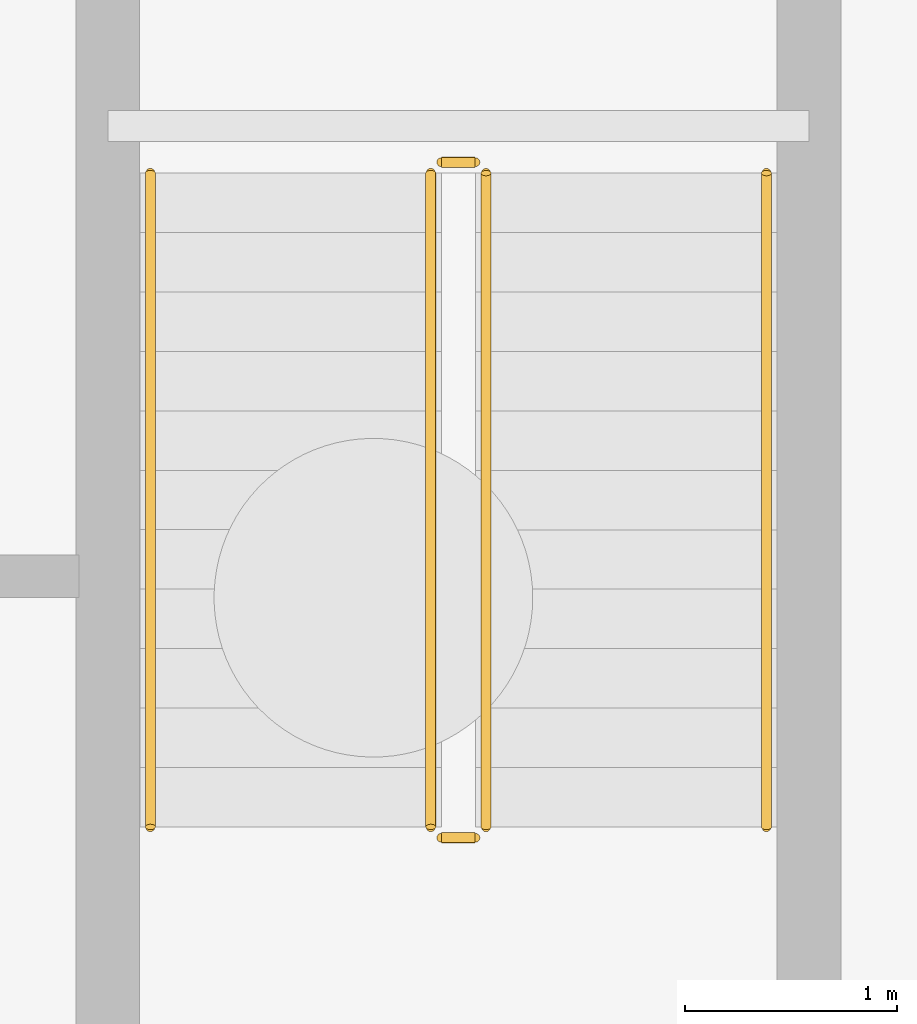
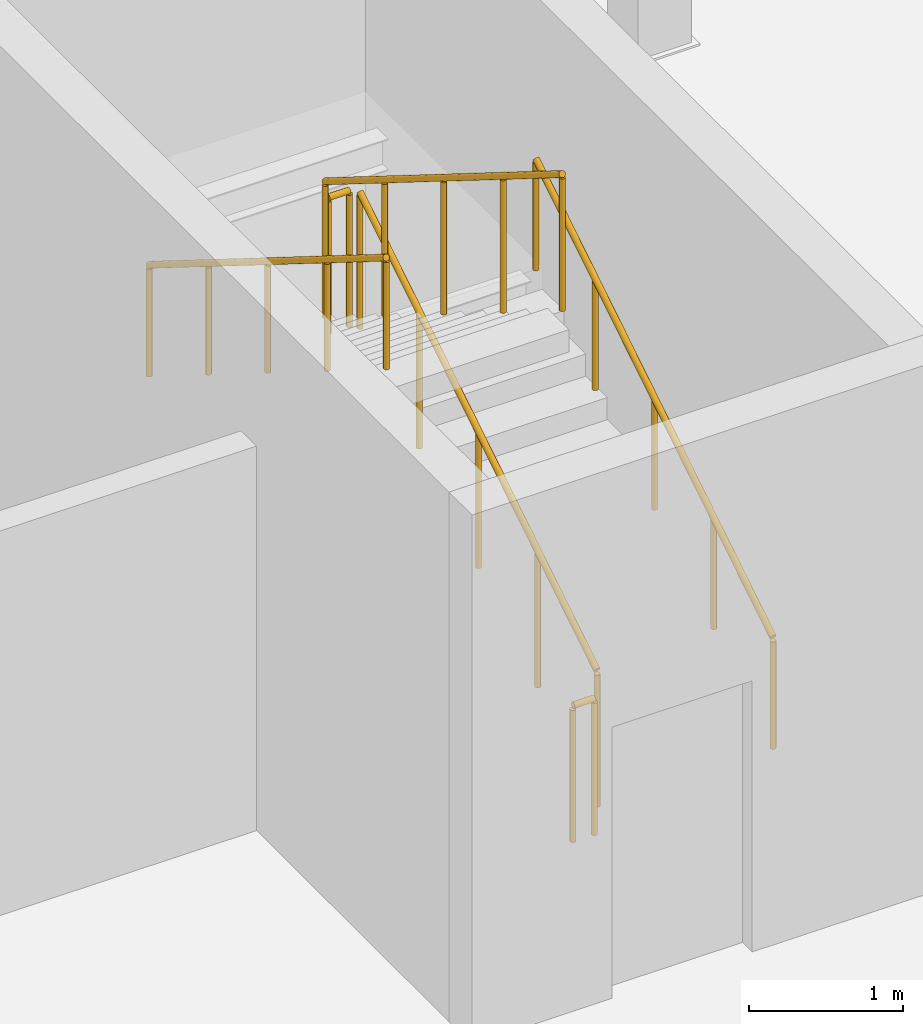
# One storey, part 11 of 12: 6 railings.
"""IFC4 building model written with IfcOpenShell, lengths in metres."""

import ifcopenshell
import ifcopenshell.guid

model = None  # the IFC model being written
_history = None  # IfcOwnerHistory: only IFC2X3 demands one
_inside = {}  # id of a spatial element -> (the spatial element, [elements in it])
_under = {}  # id of a project, library or spatial element -> (it, [spatial elements below it])
_declared = {}  # id of a project -> (the project, [libraries it declares])
_typed = {}  # id of a type object -> (the type object, [elements of that type])
_made_of = {}  # id of a material, layer set ... -> (it, [elements and type objects made of it])


def new_model(schema):
    """Start an empty IFC model of exactly this schema.

    Asked for "IFC4X3", IfcOpenShell would pick the latest addendum, in which some entities
    have other attributes; the version numbers below select the first issue.
    IFC2X3 requires an IfcOwnerHistory on every rooted entity: one is made here for all.
    """
    global model, _history
    if schema == "IFC4X3":
        model = ifcopenshell.file(schema_version=(4, 3, 0, 0))
    else:
        model = ifcopenshell.file(schema=schema)
    _inside.clear()
    _under.clear()
    _declared.clear()
    _typed.clear()
    _made_of.clear()
    _history = None
    if model.schema == "IFC2X3":
        org = make("IfcOrganization", Name="unknown")
        user = make(
            "IfcPersonAndOrganization",
            ThePerson=make("IfcPerson", FamilyName="unknown"),
            TheOrganization=org,
        )
        app = make(
            "IfcApplication",
            ApplicationDeveloper=org,
            Version="unknown",
            ApplicationFullName="unknown",
            ApplicationIdentifier="unknown",
        )
        _history = make(
            "IfcOwnerHistory",
            OwningUser=user,
            OwningApplication=app,
            ChangeAction="ADDED",
            CreationDate=0,
        )
    return model


def make(cls, **values):
    """One entity of the class cls with the attributes given. An attribute that is None is left unset."""
    return model.create_entity(
        cls, **{name: value for name, value in values.items() if value is not None}
    )


def rooted(cls, **values):
    """An entity with a GlobalId (a new one), such as an element, a storey or a relation."""
    return make(cls, GlobalId=ifcopenshell.guid.new(), OwnerHistory=_history, **values)


def si_unit(unit_type, name, prefix=None):
    """IfcSIUnit, for example si_unit("LENGTHUNIT", "METRE", prefix="MILLI")."""
    return make("IfcSIUnit", UnitType=unit_type, Prefix=prefix, Name=name)


def assignment(units):
    """IfcUnitAssignment: the units of a project."""
    return None if units is None else make("IfcUnitAssignment", Units=units)


def point(xyz):
    """IfcCartesianPoint."""
    return None if xyz is None else make("IfcCartesianPoint", Coordinates=xyz)


def direction(xyz):
    """IfcDirection."""
    return None if xyz is None else make("IfcDirection", DirectionRatios=xyz)


def frame(location, z_axis=None, x_axis=None):
    """IfcAxis2Placement3D, a coordinate frame: its origin and axes. An axis left out is left unset."""
    return make(
        "IfcAxis2Placement3D",
        Location=point(location),
        Axis=direction(z_axis),
        RefDirection=direction(x_axis),
    )


def frame_2d(location, x_axis=None):
    """IfcAxis2Placement2D, a coordinate frame in the plane: its origin and x axis."""
    return make(
        "IfcAxis2Placement2D", Location=point(location), RefDirection=direction(x_axis)
    )


def origin():
    """The frame at (0, 0, 0) with its axes left unset."""
    return frame((0.0, 0.0, 0.0))


def origin_2d():
    """The frame at (0, 0) in the plane with its x axis left unset."""
    return frame_2d((0.0, 0.0))


def place(relative_to, where):
    """IfcLocalPlacement: puts the frame where relative to a parent placement (None: the world)."""
    return make(
        "IfcLocalPlacement", PlacementRelTo=relative_to, RelativePlacement=where
    )


def context(
    kind, dimensions, precision=None, world=None, true_north=None, identifier=None
):
    """IfcGeometricRepresentationContext, for example the 3D "Model" context."""
    return make(
        "IfcGeometricRepresentationContext",
        ContextIdentifier=identifier,
        ContextType=kind,
        CoordinateSpaceDimension=dimensions,
        Precision=precision,
        WorldCoordinateSystem=world,
        TrueNorth=true_north,
    )


def subcontext(parent, identifier, kind, view, scale=None):
    """IfcGeometricRepresentationSubContext, for example "Body" below "Model"."""
    return make(
        "IfcGeometricRepresentationSubContext",
        ContextIdentifier=identifier,
        ContextType=kind,
        ParentContext=parent,
        TargetScale=scale,
        TargetView=view,
    )


def project(units=None, contexts=None):
    """IfcProject with its units and contexts."""
    return rooted(
        "IfcProject",
        Name="project",
        RepresentationContexts=contexts,
        UnitsInContext=assignment(units),
    )


def spatial(cls, under=None, at=None, **own):
    """A site, building, storey or space (cls), placed at a placement, below another one or the project."""
    s = rooted(cls, ObjectPlacement=at, **own)
    if under is not None:
        _under.setdefault(under.id(), (under, []))[1].append(s)
    return s


def profile(cls, at=None, kind="AREA", **sizes):
    """A parametric profile (cls). Its sizes go by their IFC names, for example OverallWidth=200.0."""
    return make(cls, ProfileType=kind, Position=at, **sizes)


def circle(**sizes):
    """IfcCircleProfileDef."""
    return profile("IfcCircleProfileDef", **sizes)


def extrude(swept, where, along, depth):
    """IfcExtrudedAreaSolid: the profile swept, set in the frame where, extruded along a direction by depth."""
    return make(
        "IfcExtrudedAreaSolid",
        SweptArea=swept,
        Position=where,
        ExtrudedDirection=direction(along),
        Depth=depth,
    )


def shape(context_of_items, identifier, shape_type, items):
    """IfcShapeRepresentation: the items that make up one representation, for example the "Body"."""
    return make(
        "IfcShapeRepresentation",
        ContextOfItems=context_of_items,
        RepresentationIdentifier=identifier,
        RepresentationType=shape_type,
        Items=items,
    )


def material(Name=None, Category=None):
    """IfcMaterial."""
    return make("IfcMaterial", Name=Name, Category=Category)


def made_of(thing, what):
    """Note that an element or type object is made of a material, layer set ...; save() writes the relation."""
    if what is not None:
        _made_of.setdefault(what.id(), (what, []))[1].append(thing)
    return thing


def type_object(cls, material=None, **own):
    """A type object (cls), such as IfcWallType, which elements share."""
    return made_of(rooted(cls, **own), material)


def element(
    cls,
    number,
    at=None,
    inside=None,
    cuts=None,
    type_object=None,
    material=None,
    context=None,
    identifier="Body",
    shape_type=None,
    held_by="IfcProductDefinitionShape",
    body=None,
    shapes=None,
    **own,
):
    """One element of the class cls, such as IfcWall. Its Tag is "e" and its number.

    at: its placement. inside: the storey or other place that contains it. cuts: it is an
    opening in that element (IfcRelVoidsElement). A single representation is given by context,
    identifier, shape_type and body (its items); several are given by shapes. held_by: the class
    of the entity that holds the representations. save() writes the other relations.
    """
    e = rooted(cls, Tag="e%d" % number, ObjectPlacement=at, **own)
    if body is not None:
        shapes = [shape(context, identifier, shape_type, body)]
    if shapes is not None:
        e.Representation = make(held_by, Representations=shapes)
    if inside is not None:
        _inside.setdefault(inside.id(), (inside, []))[1].append(e)
    if cuts is not None:
        rooted(
            "IfcRelVoidsElement", RelatingBuildingElement=cuts, RelatedOpeningElement=e
        )
    if type_object is not None:
        _typed.setdefault(type_object.id(), (type_object, []))[1].append(e)
    return made_of(e, material)


def aggregate(whole, parts):
    """IfcRelAggregates: a whole, such as a stair, and the parts it consists of."""
    return rooted("IfcRelAggregates", RelatingObject=whole, RelatedObjects=parts)


def save(model, path):
    """Write the relations noted so far, then the file.

    IfcRelAggregates (storeys below a building ...), IfcRelContainedInSpatialStructure (elements
    in a storey), IfcRelDefinesByType, IfcRelAssociatesMaterial and IfcRelDeclares: one each for
    every whole, place, type object, material and project.
    """
    for whole, parts in _under.values():
        aggregate(whole, parts)
    for where, things in _inside.values():
        rooted(
            "IfcRelContainedInSpatialStructure",
            RelatedElements=things,
            RelatingStructure=where,
        )
    for kind, things in _typed.values():
        rooted("IfcRelDefinesByType", RelatedObjects=things, RelatingType=kind)
    for what, things in _made_of.values():
        rooted("IfcRelAssociatesMaterial", RelatedObjects=things, RelatingMaterial=what)
    for by, libraries in _declared.values():
        rooted("IfcRelDeclares", RelatingContext=by, RelatedDefinitions=libraries)
    model.write(path)


model = new_model("IFC4")

# Units and contexts
model_context = context("Model", 3, precision=1e-05, world=origin(), true_north=direction((0.0, 1.0)))
body_context = subcontext(model_context, "Body", "Model", "MODEL_VIEW")
ifc_project = project(units=[si_unit("LENGTHUNIT", "METRE"), si_unit("AREAUNIT", "SQUARE_METRE"), si_unit("VOLUMEUNIT", "CUBIC_METRE"), si_unit("PLANEANGLEUNIT", "RADIAN"), si_unit("MASSUNIT", "GRAM", prefix="KILO")], contexts=[model_context])

# Site, building, storey
site_placement = place(None, origin())
site = spatial("IfcSite", under=ifc_project, at=site_placement, CompositionType="ELEMENT")
building_placement = place(site_placement, origin())
building = spatial("IfcBuilding", under=site, at=building_placement, Name="Orvanel Arch Residences", CompositionType="ELEMENT")
storey_placement = place(building_placement, frame((0.0, 0.0, -8.39990234375)))
storey = spatial("IfcBuildingStorey", under=building, at=storey_placement, Name="B02", CompositionType="ELEMENT", Elevation=-8.39990234375)

# Railings
ifc_material = material(Name="Structural steel AS/NZS 1163 C350L0 (Grade 350)", Category="steel")
railing_type_1 = type_object("IfcRailingType", Name="RL-STAIR-GUARD", PredefinedType="GUARDRAIL", material=ifc_material)
railing_1_placement = place(storey_placement, frame((53.030029296875, 40.419921875, 0.1748046875)))
element("IfcRailing", 1, at=railing_1_placement, inside=storey, type_object=railing_type_1, Name="B02 ST-4 stair guard 1", PredefinedType="GUARDRAIL", context=body_context, shape_type="SweptSolid", body=[
    extrude(circle(Radius=0.02392578125, at=origin_2d()), frame((0.0, 0.001220703125, 1.076904296875), z_axis=(0.0, 0.847998304005, 0.529998940003), x_axis=(-1.0, 0.0, 0.0)), (0.0, 0.0, 1.0), 3.629150390625),
    extrude(circle(Radius=0.02099609375, at=origin_2d()), origin(), (0.0, 0.0, 1.0), 1.050048828125),
    extrude(circle(Radius=0.02099609375, at=origin_2d()), frame((0.0, 0.77001953125, 0.481201171875)), (0.0, 0.0, 1.0), 1.050048828125),
    extrude(circle(Radius=0.02099609375, at=origin_2d()), frame((0.0, 1.5400390625, 0.96240234375)), (0.0, 0.0, 1.0), 1.050048828125),
    extrude(circle(Radius=0.02099609375, at=origin_2d()), frame((0.0, 2.31005859375, 1.44384765625)), (0.0, 0.0, 1.0), 1.050048828125),
    extrude(circle(Radius=0.02099609375, at=origin_2d()), frame((0.0, 3.080078125, 1.925048828125)), (0.0, 0.0, 1.0), 1.050048828125),
])
railing_2_placement = place(storey_placement, frame((52.97998046875, 43.550048828125, 2.099853515625)))
element("IfcRailing", 2, at=railing_2_placement, inside=storey, type_object=railing_type_1, Name="B02 ST-4 stair guard 2", PredefinedType="GUARDRAIL", context=body_context, shape_type="SweptSolid", body=[
    extrude(circle(Radius=0.02392578125, at=origin_2d()), frame((-0.00146484375, 0.0, 1.076171875), z_axis=(-1.0, 0.0, 0.0), x_axis=(0.0, -1.0, 0.0)), (0.0, 0.0, 1.0), 0.156982421875),
    extrude(circle(Radius=0.02099609375, at=origin_2d()), origin(), (0.0, 0.0, 1.0), 1.050048828125),
    extrude(circle(Radius=0.02099609375, at=origin_2d()), frame((-0.159912109375, 0.0, 0.0)), (0.0, 0.0, 1.0), 1.050048828125),
])
railing_3_placement = place(storey_placement, frame((52.77001953125, 43.5, 2.27490234375)))
element("IfcRailing", 3, at=railing_3_placement, inside=storey, type_object=railing_type_1, Name="B02 ST-4 stair guard 3", PredefinedType="GUARDRAIL", context=body_context, shape_type="SweptSolid", body=[
    extrude(circle(Radius=0.02392578125, at=origin_2d()), frame((0.0, -0.001220703125, 1.076904296875), z_axis=(0.0, -0.847998304005, 0.529998940003), x_axis=(1.0, 0.0, 0.0)), (0.0, 0.0, 1.0), 3.629150390625),
    extrude(circle(Radius=0.02099609375, at=origin_2d()), origin(), (0.0, 0.0, 1.0), 1.050048828125),
    extrude(circle(Radius=0.02099609375, at=origin_2d()), frame((0.0, -0.77001953125, 0.481201171875)), (0.0, 0.0, 1.0), 1.050048828125),
    extrude(circle(Radius=0.02099609375, at=origin_2d()), frame((0.0, -1.5400390625, 0.96240234375)), (0.0, 0.0, 1.0), 1.050048828125),
    extrude(circle(Radius=0.02099609375, at=origin_2d()), frame((0.0, -2.31005859375, 1.44384765625)), (0.0, 0.0, 1.0), 1.050048828125),
    extrude(circle(Radius=0.02099609375, at=origin_2d()), frame((0.0, -3.080078125, 1.925048828125)), (0.0, 0.0, 1.0), 1.050048828125),
])
railing_4_placement = place(storey_placement, frame((52.97998046875, 40.3701171875, 0.0)))
element("IfcRailing", 4, at=railing_4_placement, inside=storey, type_object=railing_type_1, Name="B02 ST-4 stair guard 4", PredefinedType="GUARDRAIL", context=body_context, shape_type="SweptSolid", body=[
    extrude(circle(Radius=0.02392578125, at=origin_2d()), frame((-0.00146484375, 0.0, 1.076171875), z_axis=(-1.0, 0.0, 0.0), x_axis=(0.0, -1.0, 0.0)), (0.0, 0.0, 1.0), 0.156982421875),
    extrude(circle(Radius=0.02099609375, at=origin_2d()), origin(), (0.0, 0.0, 1.0), 1.050048828125),
    extrude(circle(Radius=0.02099609375, at=origin_2d()), frame((-0.159912109375, 0.0, 0.0)), (0.0, 0.0, 1.0), 1.050048828125),
])
railing_type_2 = type_object("IfcRailingType", Name="RL-STAIR-HAND", PredefinedType="HANDRAIL", material=ifc_material)
railing_5_placement = place(storey_placement, frame((54.35009765625, 40.419921875, 0.1748046875)))
element("IfcRailing", 5, at=railing_5_placement, inside=storey, type_object=railing_type_2, Name="B02 ST-4 stair handrail 1", PredefinedType="HANDRAIL", context=body_context, shape_type="SweptSolid", body=[
    extrude(circle(Radius=0.02392578125, at=origin_2d()), frame((0.0, 0.001220703125, 0.876708984375), z_axis=(0.0, 0.847998304005, 0.529998940003), x_axis=(-1.0, 0.0, 0.0)), (0.0, 0.0, 1.0), 3.629150390625),
    extrude(circle(Radius=0.02099609375, at=origin_2d()), origin(), (0.0, 0.0, 1.0), 0.849853515625),
    extrude(circle(Radius=0.02099609375, at=origin_2d()), frame((0.0, 0.77001953125, 0.481201171875)), (0.0, 0.0, 1.0), 0.849853515625),
    extrude(circle(Radius=0.02099609375, at=origin_2d()), frame((0.0, 1.5400390625, 0.96240234375)), (0.0, 0.0, 1.0), 0.849853515625),
    extrude(circle(Radius=0.02099609375, at=origin_2d()), frame((0.0, 2.31005859375, 1.44384765625)), (0.0, 0.0, 1.0), 0.849853515625),
    extrude(circle(Radius=0.02099609375, at=origin_2d()), frame((0.0, 3.080078125, 1.925048828125)), (0.0, 0.0, 1.0), 0.849853515625),
])
railing_6_placement = place(storey_placement, frame((51.449951171875, 43.5, 2.27490234375)))
element("IfcRailing", 6, at=railing_6_placement, inside=storey, type_object=railing_type_2, Name="B02 ST-4 stair handrail 2", PredefinedType="HANDRAIL", context=body_context, shape_type="SweptSolid", body=[
    extrude(circle(Radius=0.02392578125, at=origin_2d()), frame((0.0, -0.001220703125, 0.876708984375), z_axis=(0.0, -0.847998304005, 0.529998940003), x_axis=(1.0, 0.0, 0.0)), (0.0, 0.0, 1.0), 3.629150390625),
    extrude(circle(Radius=0.02099609375, at=origin_2d()), origin(), (0.0, 0.0, 1.0), 0.849853515625),
    extrude(circle(Radius=0.02099609375, at=origin_2d()), frame((0.0, -0.77001953125, 0.481201171875)), (0.0, 0.0, 1.0), 0.849853515625),
    extrude(circle(Radius=0.02099609375, at=origin_2d()), frame((0.0, -1.5400390625, 0.96240234375)), (0.0, 0.0, 1.0), 0.849853515625),
    extrude(circle(Radius=0.02099609375, at=origin_2d()), frame((0.0, -2.31005859375, 1.44384765625)), (0.0, 0.0, 1.0), 0.849853515625),
    extrude(circle(Radius=0.02099609375, at=origin_2d()), frame((0.0, -3.080078125, 1.925048828125)), (0.0, 0.0, 1.0), 0.849853515625),
])

save(model, "model.ifc")
